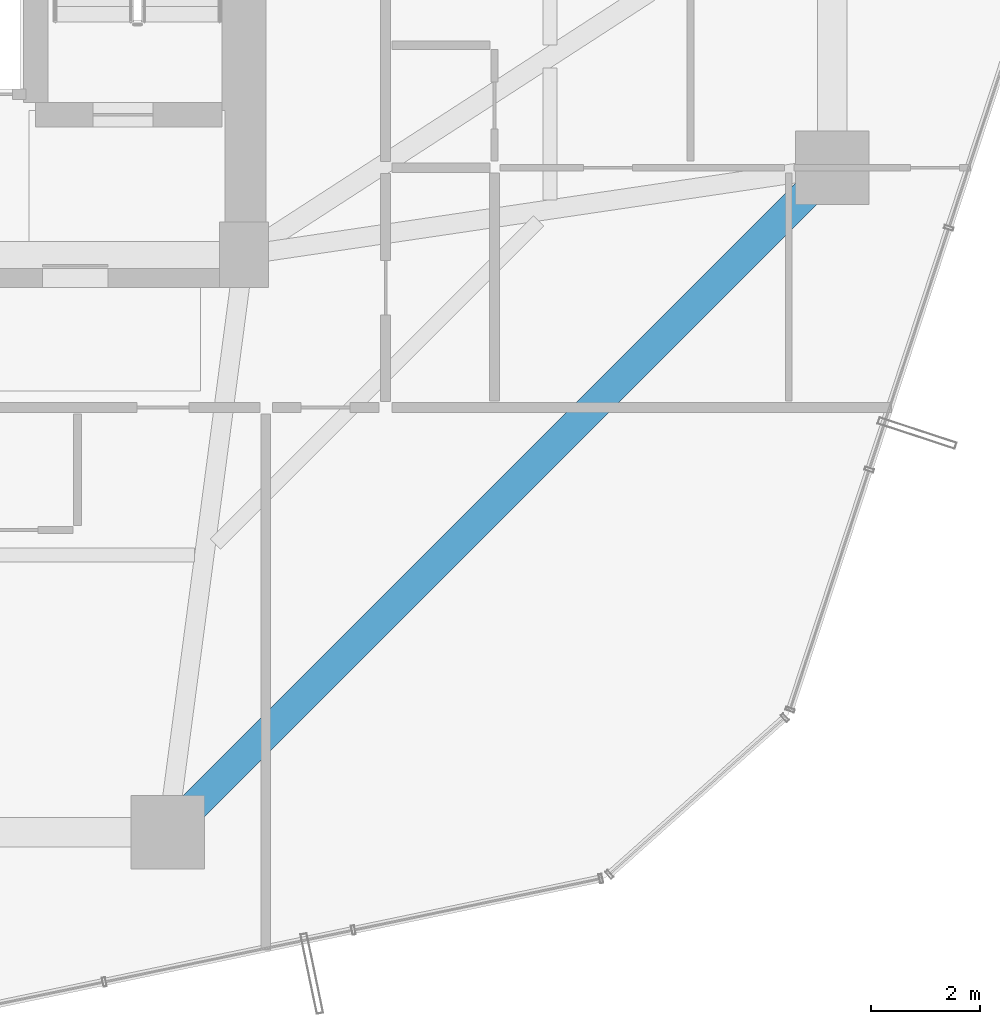
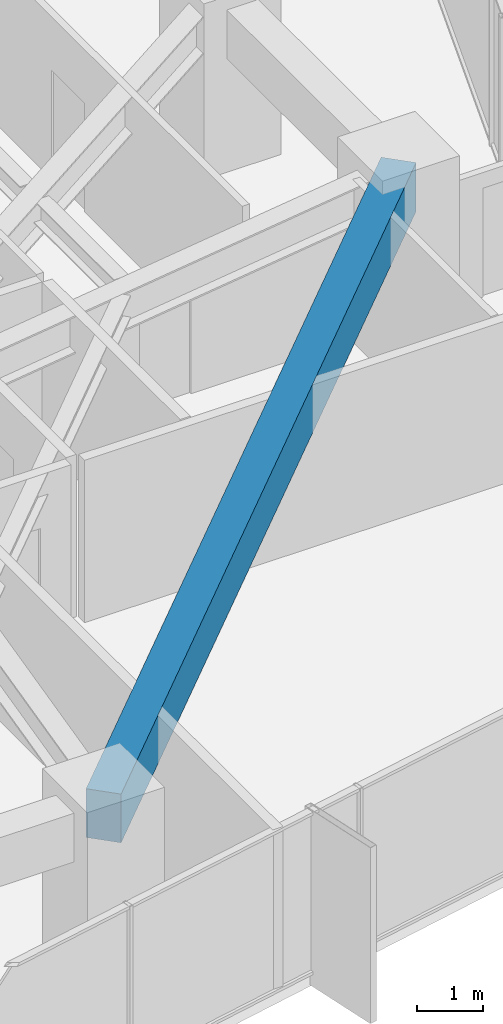
# One storey, part 15 of 38: 1 beam.
"""IFC4 building model written with IfcOpenShell, lengths in metres."""

from ifc_helpers import new_model, si_unit, direction, frame, origin, origin_2d, place, context, subcontext, project, spatial, rectangle, extrude, material, material_profile, profile_set, type_object, element, save


model = new_model("IFC4")

# Units and contexts
model_context = context("Model", 3, precision=1e-05, world=origin(), true_north=direction((0.0, 1.0)))
body_context = subcontext(model_context, "Body", "Model", "MODEL_VIEW")
ifc_project = project(units=[si_unit("LENGTHUNIT", "METRE"), si_unit("AREAUNIT", "SQUARE_METRE"), si_unit("VOLUMEUNIT", "CUBIC_METRE"), si_unit("PLANEANGLEUNIT", "RADIAN"), si_unit("MASSUNIT", "GRAM", prefix="KILO")], contexts=[model_context])

# Site, building, storey
site_placement = place(None, origin())
site = spatial("IfcSite", under=ifc_project, at=site_placement, CompositionType="ELEMENT")
building_placement = place(site_placement, origin())
building = spatial("IfcBuilding", under=site, at=building_placement, Name="Veraguas Prism Commons", CompositionType="ELEMENT")
storey_placement = place(building_placement, frame((0.0, 0.0, 64.10009765625)))
storey = spatial("IfcBuildingStorey", under=building, at=storey_placement, Name="L17", CompositionType="ELEMENT", Elevation=64.10009765625)

# Beam
ifc_material = material(Name="Concrete C50/60", Category="concrete")
ifc_material_profile = material_profile(ifc_material, rectangle(XDim=0.550048828125, YDim=0.89990234375, at=origin_2d()), Name="RC550X900")
ifc_profile_set = profile_set([ifc_material_profile], Name="Concrete C50/60")
beam_type = type_object("IfcBeamType", Name="Perimeter Spandrel Lower RC 550x900", PredefinedType="SPANDREL", material=ifc_profile_set)
beam_placement = place(storey_placement, frame((29.39990234375, 6.39990234375, 2.5498046875), z_axis=(0.707106781187, 0.707106781187, 0.0), x_axis=(-0.707106781187, 0.707106781187, 0.0)))
element("IfcBeam", 1, at=beam_placement, inside=storey, type_object=beam_type, Name="Perimeter Spandrel Beam L17-SP12", PredefinedType="SPANDREL", context=body_context, shape_type="SweptSolid", body=[
    extrude(rectangle(XDim=0.550048828125, YDim=0.89990234375, at=origin_2d()), origin(), (0.0, 0.0, 1.0), 17.253662109375),
])

save(model, "model.ifc")
